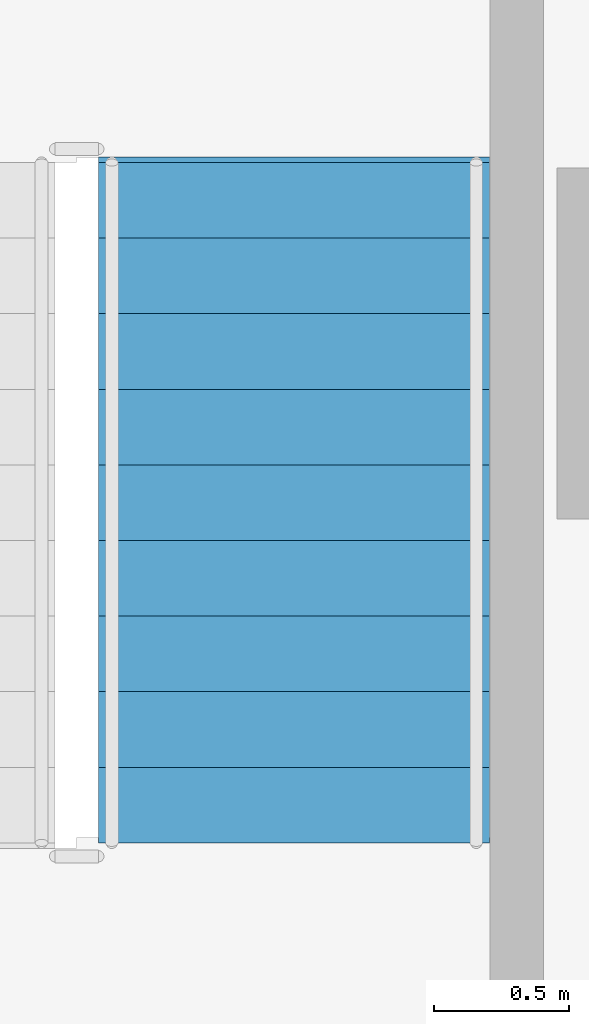
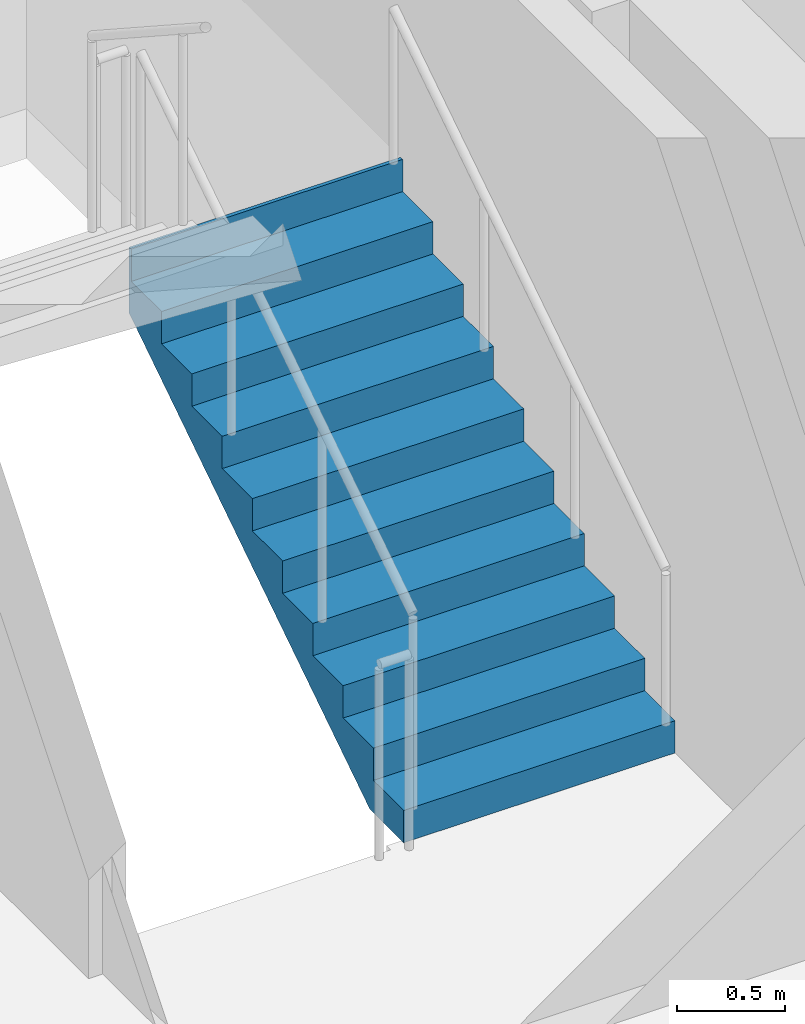
# One storey, part 8 of 12: 1 stair flight, 1 element without a shape of its own.
"""IFC4 building model written with IfcOpenShell, lengths in metres."""

from ifc_helpers import new_model, si_unit, direction, frame, origin, place, context, subcontext, project, spatial, polyline, outline, extrude, material, type_object, element, aggregate, save


model = new_model("IFC4")

# Units and contexts
model_context = context("Model", 3, precision=1e-05, world=origin(), true_north=direction((0.0, 1.0)))
body_context = subcontext(model_context, "Body", "Model", "MODEL_VIEW")
ifc_project = project(units=[si_unit("LENGTHUNIT", "METRE"), si_unit("AREAUNIT", "SQUARE_METRE"), si_unit("VOLUMEUNIT", "CUBIC_METRE"), si_unit("PLANEANGLEUNIT", "RADIAN"), si_unit("MASSUNIT", "GRAM", prefix="KILO")], contexts=[model_context])

# Site, building, storey
site_placement = place(None, origin())
site = spatial("IfcSite", under=ifc_project, at=site_placement, CompositionType="ELEMENT")
building_placement = place(site_placement, origin())
building = spatial("IfcBuilding", under=site, at=building_placement, Name="Nuvemarco Arch Tower", CompositionType="ELEMENT")
storey_placement = place(building_placement, frame((0.0, 0.0, 38.550048828125)))
storey = spatial("IfcBuildingStorey", under=building, at=storey_placement, Name="L09", CompositionType="ELEMENT", Elevation=38.550048828125)

# Stair, stair flight
ifc_material = material(Name="Precast concrete C45/55", Category="concrete")
stair_type = type_object("IfcStairType", Name="ST-CORE-20R", PredefinedType="HALF_TURN_STAIR", material=ifc_material)
stair_placement = place(storey_placement, origin())
stair = element("IfcStair", 1, at=stair_placement, inside=storey, type_object=stair_type, Name="L09 Protected Exit Stair ST-2", PredefinedType="HALF_TURN_STAIR")
stair_flight_type = type_object("IfcStairFlightType", Name="SF-CORE-20R", PredefinedType="STRAIGHT", material=ifc_material)
stair_flight_placement = place(storey_placement, frame((15.875, 2.64990234375, 0.0), z_axis=(0.0, 0.0, 1.0), x_axis=(0.0, 1.0, 0.0)))
stair_flight = element("IfcStairFlight", 2, at=stair_flight_placement, type_object=stair_flight_type, Name="ST-20R flight 1", NumberOfRisers=10, NumberOfTreads=9, PredefinedType="STRAIGHT", RiserHeight=0.1825, TreadLength=0.28, context=body_context, shape_type="SweptSolid", body=[
    extrude(outline(polyline([(0.0, 0.0), (0.0, 0.1826171875), (0.280029296875, 0.1826171875), (0.280029296875, 0.364990234375), (0.56005859375, 0.364990234375), (0.56005859375, 0.547607421875), (0.840087890625, 0.547607421875), (0.840087890625, 0.72998046875), (1.1201171875, 0.72998046875), (1.1201171875, 0.91259765625), (1.39990234375, 0.91259765625), (1.39990234375, 1.094970703125), (1.679931640625, 1.094970703125), (1.679931640625, 1.277587890625), (1.9599609375, 1.277587890625), (1.9599609375, 1.4599609375), (2.239990234375, 1.4599609375), (2.239990234375, 1.642578125), (2.52001953125, 1.642578125), (2.52001953125, 1.824951171875), (2.5400390625, 1.824951171875), (2.5400390625, 1.45166015625), (0.312744140625, 0.0), (0.0, 0.0)])), frame((0.0, 0.72509765625, 0.0), z_axis=(0.0, -1.0, 0.0), x_axis=(1.0, 0.0, 0.0)), (0.0, 0.0, 1.0), 1.449951171875),
])
aggregate(stair, [stair_flight])

save(model, "model.ifc")
